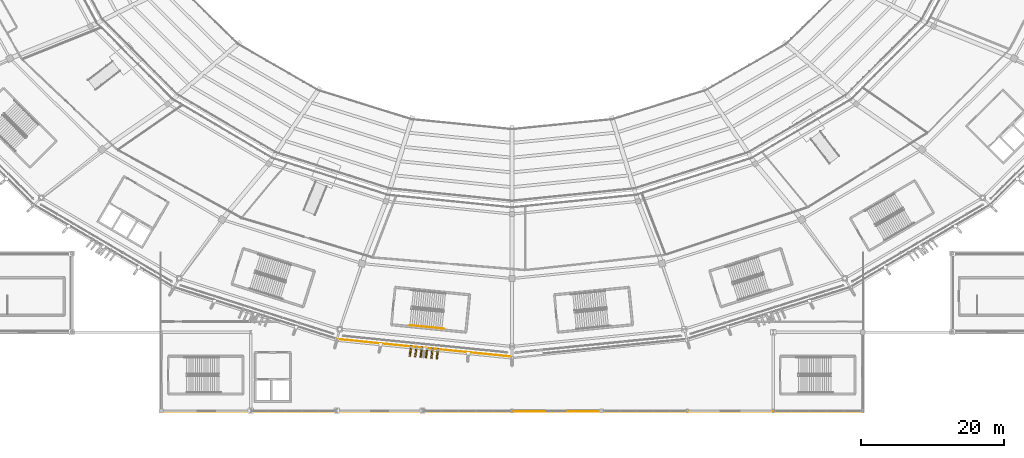
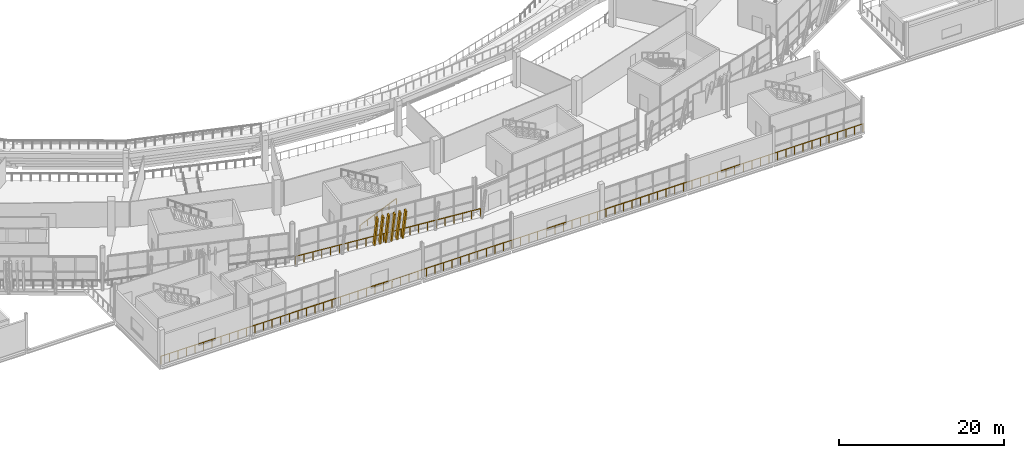
# One storey, part 148 of 178: 6 shading devices, 3 railings.
"""IFC4 building model written with IfcOpenShell, lengths in metres."""

from ifc_helpers import new_model, si_unit, direction, frame, origin, origin_2d, place, context, subcontext, project, spatial, rectangle, extrude, material, material_profile, profile_set, type_object, element, save


model = new_model("IFC4")

# Units and contexts
model_context = context("Model", 3, precision=1e-05, world=origin(), true_north=direction((0.0, 1.0)))
body_context = subcontext(model_context, "Body", "Model", "MODEL_VIEW")
ifc_project = project(units=[si_unit("LENGTHUNIT", "METRE"), si_unit("AREAUNIT", "SQUARE_METRE"), si_unit("VOLUMEUNIT", "CUBIC_METRE"), si_unit("PLANEANGLEUNIT", "RADIAN"), si_unit("MASSUNIT", "GRAM", prefix="KILO")], contexts=[model_context])

# Site, building, storey
site_placement = place(None, origin())
site = spatial("IfcSite", under=ifc_project, at=site_placement, CompositionType="ELEMENT")
building_placement = place(site_placement, origin())
building = spatial("IfcBuilding", under=site, at=building_placement, Name="Zlatoyarsky Gate Stadium", CompositionType="ELEMENT")
storey_placement = place(building_placement, frame((0.0, 0.0, 5.39990234375)))
storey = spatial("IfcBuildingStorey", under=building, at=storey_placement, Name="L01", CompositionType="ELEMENT", Elevation=5.39990234375)

# Railings
ifc_material_1 = material(Name="Powder-coated steel tubular guardrail", Category="steel")
railing_type_1 = type_object("IfcRailingType", Name="CONCOURSE SLAB EDGE GUARDRAIL 1200", PredefinedType="GUARDRAIL", material=ifc_material_1)
railing_1_placement = place(storey_placement, frame((86.56005859375, 10.039306640625, 0.0)))
element("IfcRailing", 1, at=railing_1_placement, inside=storey, type_object=railing_type_1, Name="L01 outer slab edge guardrail 17", PredefinedType="GUARDRAIL", context=body_context, shape_type="SweptSolid", body=[
    extrude(rectangle(XDim=0.048095703125, YDim=0.048095703125, at=origin_2d()), frame((0.0, 0.0, 1.17578125), z_axis=(0.994940882427, -0.100462134533, 0.0), x_axis=(0.100462134533, 0.994940882427, 0.0)), (0.0, 0.0, 1.0), 24.564208984375),
    extrude(rectangle(XDim=0.0419921875, YDim=0.0419921875, at=origin_2d()), origin(), (0.0, 0.0, 1.0), 1.15185546875),
    extrude(rectangle(XDim=0.0419921875, YDim=0.0419921875, at=origin_2d()), frame((1.163818359375, -0.117431640625, 0.0)), (0.0, 0.0, 1.0), 1.15185546875),
    extrude(rectangle(XDim=0.0419921875, YDim=0.0419921875, at=origin_2d()), frame((2.32763671875, -0.235107421875, 0.0)), (0.0, 0.0, 1.0), 1.15185546875),
    extrude(rectangle(XDim=0.0419921875, YDim=0.0419921875, at=origin_2d()), frame((3.491455078125, -0.3525390625, 0.0)), (0.0, 0.0, 1.0), 1.15185546875),
    extrude(rectangle(XDim=0.0419921875, YDim=0.0419921875, at=origin_2d()), frame((4.6552734375, -0.469970703125, 0.0)), (0.0, 0.0, 1.0), 1.15185546875),
    extrude(rectangle(XDim=0.0419921875, YDim=0.0419921875, at=origin_2d()), frame((5.819091796875, -0.587646484375, 0.0)), (0.0, 0.0, 1.0), 1.15185546875),
    extrude(rectangle(XDim=0.0419921875, YDim=0.0419921875, at=origin_2d()), frame((6.98291015625, -0.705078125, 0.0)), (0.0, 0.0, 1.0), 1.15185546875),
    extrude(rectangle(XDim=0.0419921875, YDim=0.0419921875, at=origin_2d()), frame((8.146728515625, -0.822509765625, 0.0)), (0.0, 0.0, 1.0), 1.15185546875),
    extrude(rectangle(XDim=0.0419921875, YDim=0.0419921875, at=origin_2d()), frame((9.310546875, -0.940185546875, 0.0)), (0.0, 0.0, 1.0), 1.15185546875),
    extrude(rectangle(XDim=0.0419921875, YDim=0.0419921875, at=origin_2d()), frame((10.474365234375, -1.0576171875, 0.0)), (0.0, 0.0, 1.0), 1.15185546875),
    extrude(rectangle(XDim=0.0419921875, YDim=0.0419921875, at=origin_2d()), frame((11.63818359375, -1.175048828125, 0.0)), (0.0, 0.0, 1.0), 1.15185546875),
    extrude(rectangle(XDim=0.0419921875, YDim=0.0419921875, at=origin_2d()), frame((12.8017578125, -1.292724609375, 0.0)), (0.0, 0.0, 1.0), 1.15185546875),
    extrude(rectangle(XDim=0.0419921875, YDim=0.0419921875, at=origin_2d()), frame((13.965576171875, -1.41015625, 0.0)), (0.0, 0.0, 1.0), 1.15185546875),
    extrude(rectangle(XDim=0.0419921875, YDim=0.0419921875, at=origin_2d()), frame((15.12939453125, -1.527587890625, 0.0)), (0.0, 0.0, 1.0), 1.15185546875),
    extrude(rectangle(XDim=0.0419921875, YDim=0.0419921875, at=origin_2d()), frame((16.293212890625, -1.645263671875, 0.0)), (0.0, 0.0, 1.0), 1.15185546875),
    extrude(rectangle(XDim=0.0419921875, YDim=0.0419921875, at=origin_2d()), frame((17.45703125, -1.7626953125, 0.0)), (0.0, 0.0, 1.0), 1.15185546875),
    extrude(rectangle(XDim=0.0419921875, YDim=0.0419921875, at=origin_2d()), frame((18.620849609375, -1.880126953125, 0.0)), (0.0, 0.0, 1.0), 1.15185546875),
    extrude(rectangle(XDim=0.0419921875, YDim=0.0419921875, at=origin_2d()), frame((19.78466796875, -1.997802734375, 0.0)), (0.0, 0.0, 1.0), 1.15185546875),
    extrude(rectangle(XDim=0.0419921875, YDim=0.0419921875, at=origin_2d()), frame((20.948486328125, -2.115234375, 0.0)), (0.0, 0.0, 1.0), 1.15185546875),
    extrude(rectangle(XDim=0.0419921875, YDim=0.0419921875, at=origin_2d()), frame((22.1123046875, -2.232666015625, 0.0)), (0.0, 0.0, 1.0), 1.15185546875),
    extrude(rectangle(XDim=0.0419921875, YDim=0.0419921875, at=origin_2d()), frame((23.276123046875, -2.350341796875, 0.0)), (0.0, 0.0, 1.0), 1.15185546875),
    extrude(rectangle(XDim=0.0419921875, YDim=0.0419921875, at=origin_2d()), frame((24.43994140625, -2.4677734375, 0.0)), (0.0, 0.0, 1.0), 1.15185546875),
])
railing_2_placement = place(storey_placement, frame((61.919921875, -0.080078125, 0.0)))
element("IfcRailing", 2, at=railing_2_placement, inside=storey, type_object=railing_type_1, Name="V3_SOUTH L01 S slab edge guardrail", PredefinedType="GUARDRAIL", context=body_context, shape_type="SweptSolid", body=[
    extrude(rectangle(XDim=0.048095703125, YDim=0.048095703125, at=origin_2d()), frame((0.0, 0.0, 1.17578125), z_axis=(1.0, 0.0, 0.0), x_axis=(0.0, 1.0, 0.0)), (0.0, 0.0, 1.0), 98.16015625),
    extrude(rectangle(XDim=0.0419921875, YDim=0.0419921875, at=origin_2d()), origin(), (0.0, 0.0, 1.0), 1.15185546875),
    extrude(rectangle(XDim=0.0419921875, YDim=0.0419921875, at=origin_2d()), frame((1.197021484375, 0.0, 0.0)), (0.0, 0.0, 1.0), 1.15185546875),
    extrude(rectangle(XDim=0.0419921875, YDim=0.0419921875, at=origin_2d()), frame((2.39404296875, 0.0, 0.0)), (0.0, 0.0, 1.0), 1.15185546875),
    extrude(rectangle(XDim=0.0419921875, YDim=0.0419921875, at=origin_2d()), frame((3.59130859375, 0.0, 0.0)), (0.0, 0.0, 1.0), 1.15185546875),
    extrude(rectangle(XDim=0.0419921875, YDim=0.0419921875, at=origin_2d()), frame((4.788330078125, 0.0, 0.0)), (0.0, 0.0, 1.0), 1.15185546875),
    extrude(rectangle(XDim=0.0419921875, YDim=0.0419921875, at=origin_2d()), frame((5.9853515625, 0.0, 0.0)), (0.0, 0.0, 1.0), 1.15185546875),
    extrude(rectangle(XDim=0.0419921875, YDim=0.0419921875, at=origin_2d()), frame((7.182373046875, 0.0, 0.0)), (0.0, 0.0, 1.0), 1.15185546875),
    extrude(rectangle(XDim=0.0419921875, YDim=0.0419921875, at=origin_2d()), frame((8.379638671875, 0.0, 0.0)), (0.0, 0.0, 1.0), 1.15185546875),
    extrude(rectangle(XDim=0.0419921875, YDim=0.0419921875, at=origin_2d()), frame((9.57666015625, 0.0, 0.0)), (0.0, 0.0, 1.0), 1.15185546875),
    extrude(rectangle(XDim=0.0419921875, YDim=0.0419921875, at=origin_2d()), frame((10.773681640625, 0.0, 0.0)), (0.0, 0.0, 1.0), 1.15185546875),
    extrude(rectangle(XDim=0.0419921875, YDim=0.0419921875, at=origin_2d()), frame((11.970703125, 0.0, 0.0)), (0.0, 0.0, 1.0), 1.15185546875),
    extrude(rectangle(XDim=0.0419921875, YDim=0.0419921875, at=origin_2d()), frame((13.167724609375, 0.0, 0.0)), (0.0, 0.0, 1.0), 1.15185546875),
    extrude(rectangle(XDim=0.0419921875, YDim=0.0419921875, at=origin_2d()), frame((14.364990234375, 0.0, 0.0)), (0.0, 0.0, 1.0), 1.15185546875),
    extrude(rectangle(XDim=0.0419921875, YDim=0.0419921875, at=origin_2d()), frame((15.56201171875, 0.0, 0.0)), (0.0, 0.0, 1.0), 1.15185546875),
    extrude(rectangle(XDim=0.0419921875, YDim=0.0419921875, at=origin_2d()), frame((16.759033203125, 0.0, 0.0)), (0.0, 0.0, 1.0), 1.15185546875),
    extrude(rectangle(XDim=0.0419921875, YDim=0.0419921875, at=origin_2d()), frame((17.9560546875, 0.0, 0.0)), (0.0, 0.0, 1.0), 1.15185546875),
    extrude(rectangle(XDim=0.0419921875, YDim=0.0419921875, at=origin_2d()), frame((19.1533203125, 0.0, 0.0)), (0.0, 0.0, 1.0), 1.15185546875),
    extrude(rectangle(XDim=0.0419921875, YDim=0.0419921875, at=origin_2d()), frame((20.350341796875, 0.0, 0.0)), (0.0, 0.0, 1.0), 1.15185546875),
    extrude(rectangle(XDim=0.0419921875, YDim=0.0419921875, at=origin_2d()), frame((21.54736328125, 0.0, 0.0)), (0.0, 0.0, 1.0), 1.15185546875),
    extrude(rectangle(XDim=0.0419921875, YDim=0.0419921875, at=origin_2d()), frame((22.744384765625, 0.0, 0.0)), (0.0, 0.0, 1.0), 1.15185546875),
    extrude(rectangle(XDim=0.0419921875, YDim=0.0419921875, at=origin_2d()), frame((23.94140625, 0.0, 0.0)), (0.0, 0.0, 1.0), 1.15185546875),
    extrude(rectangle(XDim=0.0419921875, YDim=0.0419921875, at=origin_2d()), frame((25.138671875, 0.0, 0.0)), (0.0, 0.0, 1.0), 1.15185546875),
    extrude(rectangle(XDim=0.0419921875, YDim=0.0419921875, at=origin_2d()), frame((26.335693359375, 0.0, 0.0)), (0.0, 0.0, 1.0), 1.15185546875),
    extrude(rectangle(XDim=0.0419921875, YDim=0.0419921875, at=origin_2d()), frame((27.53271484375, 0.0, 0.0)), (0.0, 0.0, 1.0), 1.15185546875),
    extrude(rectangle(XDim=0.0419921875, YDim=0.0419921875, at=origin_2d()), frame((28.729736328125, 0.0, 0.0)), (0.0, 0.0, 1.0), 1.15185546875),
    extrude(rectangle(XDim=0.0419921875, YDim=0.0419921875, at=origin_2d()), frame((29.9267578125, 0.0, 0.0)), (0.0, 0.0, 1.0), 1.15185546875),
    extrude(rectangle(XDim=0.0419921875, YDim=0.0419921875, at=origin_2d()), frame((31.1240234375, 0.0, 0.0)), (0.0, 0.0, 1.0), 1.15185546875),
    extrude(rectangle(XDim=0.0419921875, YDim=0.0419921875, at=origin_2d()), frame((32.321044921875, 0.0, 0.0)), (0.0, 0.0, 1.0), 1.15185546875),
    extrude(rectangle(XDim=0.0419921875, YDim=0.0419921875, at=origin_2d()), frame((33.51806640625, 0.0, 0.0)), (0.0, 0.0, 1.0), 1.15185546875),
    extrude(rectangle(XDim=0.0419921875, YDim=0.0419921875, at=origin_2d()), frame((34.715087890625, 0.0, 0.0)), (0.0, 0.0, 1.0), 1.15185546875),
    extrude(rectangle(XDim=0.0419921875, YDim=0.0419921875, at=origin_2d()), frame((35.912353515625, 0.0, 0.0)), (0.0, 0.0, 1.0), 1.15185546875),
    extrude(rectangle(XDim=0.0419921875, YDim=0.0419921875, at=origin_2d()), frame((37.109375, 0.0, 0.0)), (0.0, 0.0, 1.0), 1.15185546875),
    extrude(rectangle(XDim=0.0419921875, YDim=0.0419921875, at=origin_2d()), frame((38.306396484375, 0.0, 0.0)), (0.0, 0.0, 1.0), 1.15185546875),
    extrude(rectangle(XDim=0.0419921875, YDim=0.0419921875, at=origin_2d()), frame((39.50341796875, 0.0, 0.0)), (0.0, 0.0, 1.0), 1.15185546875),
    extrude(rectangle(XDim=0.0419921875, YDim=0.0419921875, at=origin_2d()), frame((40.700439453125, 0.0, 0.0)), (0.0, 0.0, 1.0), 1.15185546875),
    extrude(rectangle(XDim=0.0419921875, YDim=0.0419921875, at=origin_2d()), frame((41.897705078125, 0.0, 0.0)), (0.0, 0.0, 1.0), 1.15185546875),
    extrude(rectangle(XDim=0.0419921875, YDim=0.0419921875, at=origin_2d()), frame((43.0947265625, 0.0, 0.0)), (0.0, 0.0, 1.0), 1.15185546875),
    extrude(rectangle(XDim=0.0419921875, YDim=0.0419921875, at=origin_2d()), frame((44.291748046875, 0.0, 0.0)), (0.0, 0.0, 1.0), 1.15185546875),
    extrude(rectangle(XDim=0.0419921875, YDim=0.0419921875, at=origin_2d()), frame((45.48876953125, 0.0, 0.0)), (0.0, 0.0, 1.0), 1.15185546875),
    extrude(rectangle(XDim=0.0419921875, YDim=0.0419921875, at=origin_2d()), frame((46.68603515625, 0.0, 0.0)), (0.0, 0.0, 1.0), 1.15185546875),
    extrude(rectangle(XDim=0.0419921875, YDim=0.0419921875, at=origin_2d()), frame((47.883056640625, 0.0, 0.0)), (0.0, 0.0, 1.0), 1.15185546875),
    extrude(rectangle(XDim=0.0419921875, YDim=0.0419921875, at=origin_2d()), frame((49.080078125, 0.0, 0.0)), (0.0, 0.0, 1.0), 1.15185546875),
    extrude(rectangle(XDim=0.0419921875, YDim=0.0419921875, at=origin_2d()), frame((50.277099609375, 0.0, 0.0)), (0.0, 0.0, 1.0), 1.15185546875),
    extrude(rectangle(XDim=0.0419921875, YDim=0.0419921875, at=origin_2d()), frame((51.47412109375, 0.0, 0.0)), (0.0, 0.0, 1.0), 1.15185546875),
    extrude(rectangle(XDim=0.0419921875, YDim=0.0419921875, at=origin_2d()), frame((52.67138671875, 0.0, 0.0)), (0.0, 0.0, 1.0), 1.15185546875),
    extrude(rectangle(XDim=0.0419921875, YDim=0.0419921875, at=origin_2d()), frame((53.868408203125, 0.0, 0.0)), (0.0, 0.0, 1.0), 1.15185546875),
    extrude(rectangle(XDim=0.0419921875, YDim=0.0419921875, at=origin_2d()), frame((55.0654296875, 0.0, 0.0)), (0.0, 0.0, 1.0), 1.15185546875),
    extrude(rectangle(XDim=0.0419921875, YDim=0.0419921875, at=origin_2d()), frame((56.262451171875, 0.0, 0.0)), (0.0, 0.0, 1.0), 1.15185546875),
    extrude(rectangle(XDim=0.0419921875, YDim=0.0419921875, at=origin_2d()), frame((57.459716796875, 0.0, 0.0)), (0.0, 0.0, 1.0), 1.15185546875),
    extrude(rectangle(XDim=0.0419921875, YDim=0.0419921875, at=origin_2d()), frame((58.65673828125, 0.0, 0.0)), (0.0, 0.0, 1.0), 1.15185546875),
    extrude(rectangle(XDim=0.0419921875, YDim=0.0419921875, at=origin_2d()), frame((59.853759765625, 0.0, 0.0)), (0.0, 0.0, 1.0), 1.15185546875),
    extrude(rectangle(XDim=0.0419921875, YDim=0.0419921875, at=origin_2d()), frame((61.05078125, 0.0, 0.0)), (0.0, 0.0, 1.0), 1.15185546875),
    extrude(rectangle(XDim=0.0419921875, YDim=0.0419921875, at=origin_2d()), frame((62.247802734375, 0.0, 0.0)), (0.0, 0.0, 1.0), 1.15185546875),
    extrude(rectangle(XDim=0.0419921875, YDim=0.0419921875, at=origin_2d()), frame((63.445068359375, 0.0, 0.0)), (0.0, 0.0, 1.0), 1.15185546875),
    extrude(rectangle(XDim=0.0419921875, YDim=0.0419921875, at=origin_2d()), frame((64.64208984375, 0.0, 0.0)), (0.0, 0.0, 1.0), 1.15185546875),
    extrude(rectangle(XDim=0.0419921875, YDim=0.0419921875, at=origin_2d()), frame((65.839111328125, 0.0, 0.0)), (0.0, 0.0, 1.0), 1.15185546875),
    extrude(rectangle(XDim=0.0419921875, YDim=0.0419921875, at=origin_2d()), frame((67.0361328125, 0.0, 0.0)), (0.0, 0.0, 1.0), 1.15185546875),
    extrude(rectangle(XDim=0.0419921875, YDim=0.0419921875, at=origin_2d()), frame((68.2333984375, 0.0, 0.0)), (0.0, 0.0, 1.0), 1.15185546875),
    extrude(rectangle(XDim=0.0419921875, YDim=0.0419921875, at=origin_2d()), frame((69.430419921875, 0.0, 0.0)), (0.0, 0.0, 1.0), 1.15185546875),
    extrude(rectangle(XDim=0.0419921875, YDim=0.0419921875, at=origin_2d()), frame((70.62744140625, 0.0, 0.0)), (0.0, 0.0, 1.0), 1.15185546875),
    extrude(rectangle(XDim=0.0419921875, YDim=0.0419921875, at=origin_2d()), frame((71.824462890625, 0.0, 0.0)), (0.0, 0.0, 1.0), 1.15185546875),
    extrude(rectangle(XDim=0.0419921875, YDim=0.0419921875, at=origin_2d()), frame((73.021484375, 0.0, 0.0)), (0.0, 0.0, 1.0), 1.15185546875),
    extrude(rectangle(XDim=0.0419921875, YDim=0.0419921875, at=origin_2d()), frame((74.21875, 0.0, 0.0)), (0.0, 0.0, 1.0), 1.15185546875),
    extrude(rectangle(XDim=0.0419921875, YDim=0.0419921875, at=origin_2d()), frame((75.415771484375, 0.0, 0.0)), (0.0, 0.0, 1.0), 1.15185546875),
    extrude(rectangle(XDim=0.0419921875, YDim=0.0419921875, at=origin_2d()), frame((76.61279296875, 0.0, 0.0)), (0.0, 0.0, 1.0), 1.15185546875),
    extrude(rectangle(XDim=0.0419921875, YDim=0.0419921875, at=origin_2d()), frame((77.809814453125, 0.0, 0.0)), (0.0, 0.0, 1.0), 1.15185546875),
    extrude(rectangle(XDim=0.0419921875, YDim=0.0419921875, at=origin_2d()), frame((79.0068359375, 0.0, 0.0)), (0.0, 0.0, 1.0), 1.15185546875),
    extrude(rectangle(XDim=0.0419921875, YDim=0.0419921875, at=origin_2d()), frame((80.2041015625, 0.0, 0.0)), (0.0, 0.0, 1.0), 1.15185546875),
    extrude(rectangle(XDim=0.0419921875, YDim=0.0419921875, at=origin_2d()), frame((81.401123046875, 0.0, 0.0)), (0.0, 0.0, 1.0), 1.15185546875),
    extrude(rectangle(XDim=0.0419921875, YDim=0.0419921875, at=origin_2d()), frame((82.59814453125, 0.0, 0.0)), (0.0, 0.0, 1.0), 1.15185546875),
    extrude(rectangle(XDim=0.0419921875, YDim=0.0419921875, at=origin_2d()), frame((83.795166015625, 0.0, 0.0)), (0.0, 0.0, 1.0), 1.15185546875),
    extrude(rectangle(XDim=0.0419921875, YDim=0.0419921875, at=origin_2d()), frame((84.992431640625, 0.0, 0.0)), (0.0, 0.0, 1.0), 1.15185546875),
    extrude(rectangle(XDim=0.0419921875, YDim=0.0419921875, at=origin_2d()), frame((86.189453125, 0.0, 0.0)), (0.0, 0.0, 1.0), 1.15185546875),
    extrude(rectangle(XDim=0.0419921875, YDim=0.0419921875, at=origin_2d()), frame((87.386474609375, 0.0, 0.0)), (0.0, 0.0, 1.0), 1.15185546875),
    extrude(rectangle(XDim=0.0419921875, YDim=0.0419921875, at=origin_2d()), frame((88.58349609375, 0.0, 0.0)), (0.0, 0.0, 1.0), 1.15185546875),
    extrude(rectangle(XDim=0.0419921875, YDim=0.0419921875, at=origin_2d()), frame((89.780517578125, 0.0, 0.0)), (0.0, 0.0, 1.0), 1.15185546875),
    extrude(rectangle(XDim=0.0419921875, YDim=0.0419921875, at=origin_2d()), frame((90.977783203125, 0.0, 0.0)), (0.0, 0.0, 1.0), 1.15185546875),
    extrude(rectangle(XDim=0.0419921875, YDim=0.0419921875, at=origin_2d()), frame((92.1748046875, 0.0, 0.0)), (0.0, 0.0, 1.0), 1.15185546875),
    extrude(rectangle(XDim=0.0419921875, YDim=0.0419921875, at=origin_2d()), frame((93.371826171875, 0.0, 0.0)), (0.0, 0.0, 1.0), 1.15185546875),
    extrude(rectangle(XDim=0.0419921875, YDim=0.0419921875, at=origin_2d()), frame((94.56884765625, 0.0, 0.0)), (0.0, 0.0, 1.0), 1.15185546875),
    extrude(rectangle(XDim=0.0419921875, YDim=0.0419921875, at=origin_2d()), frame((95.76611328125, 0.0, 0.0)), (0.0, 0.0, 1.0), 1.15185546875),
    extrude(rectangle(XDim=0.0419921875, YDim=0.0419921875, at=origin_2d()), frame((96.963134765625, 0.0, 0.0)), (0.0, 0.0, 1.0), 1.15185546875),
    extrude(rectangle(XDim=0.0419921875, YDim=0.0419921875, at=origin_2d()), frame((98.16015625, 0.0, 0.0)), (0.0, 0.0, 1.0), 1.15185546875),
])

# Shading devices
ifc_material_2 = material(Name="Precast concrete C40/50 stone-toned architectural rib", Category="masonry")
ifc_material_profile = material_profile(ifc_material_2, rectangle(XDim=0.199951171875, YDim=0.47998046875, at=origin_2d()), Name="RIB 200X480")
ifc_profile_set = profile_set([ifc_material_profile], Name="Precast concrete C40/50 stone-toned architectural rib")
shading_device_type = type_object("IfcShadingDeviceType", Name="PRECAST FLUTED GATE LOUVRE BLADE 200X480", PredefinedType="SHUTTER", material=ifc_profile_set)
for number, where, z_axis, x_axis, name in (
    (3, (96.901611328125, 8.8955078125, -0.010009765625), (-0.033173733252, -0.218071504172, 0.975368813573), (0.988626294086, -0.150392987341, 0.0), "Leaning bowl louvre fin L01-17-1"),
    (4, (97.647705078125, 8.8203125, -0.010009765625), (-0.031392996859, -0.218326336343, 0.975370745208), (0.989819903537, -0.142325537283, 0.0), "Leaning bowl louvre fin L01-17-2"),
    (5, (98.39404296875, 8.744873046875, -0.010009765625), (-0.029663322713, -0.218531682767, 0.975378896077), (0.990912813939, -0.134505744011, 0.0), "Leaning bowl louvre fin L01-17-3"),
    (6, (99.14013671875, 8.66943359375, -0.010009765625), (-0.027882383392, -0.218785125153, 0.975374616088), (0.991976885023, -0.126419379766, 0.0), "Leaning bowl louvre fin L01-17-4"),
    (7, (99.886474609375, 8.593994140625, -0.010009765625), (-0.026152511772, -0.218989125814, 0.975376752288), (0.992944360778, -0.118581180632, 0.0), "Leaning bowl louvre fin L01-17-5"),
    (8, (100.632568359375, 8.518798828125, -0.010009765625), (-0.024371436564, -0.219241169421, 0.975366260802), (0.993878107733, -0.110482156789, 0.0), "Leaning bowl louvre fin L01-17-6"),
):
    element("IfcShadingDevice", number, at=place(storey_placement, frame(where, z_axis=z_axis, x_axis=x_axis)), inside=storey, type_object=shading_device_type, Name=name, PredefinedType="SHUTTER", context=body_context, shape_type="SweptSolid", body=[
        extrude(rectangle(XDim=0.199951171875, YDim=0.47998046875, at=origin_2d()), origin(), (0.0, 0.0, 1.0), 4.79833984375),
    ])

# Railing
ifc_material_3 = material(Name="Brushed stainless steel 316 handrail", Category="steel")
railing_type_2 = type_object("IfcRailingType", Name="STAINLESS STEEL TUBULAR HANDRAIL 900", PredefinedType="HANDRAIL", material=ifc_material_3)
railing_3_placement = place(storey_placement, frame((96.7353515625, 11.958984375, 0.16650390625)))
element("IfcRailing", 9, at=railing_3_placement, inside=storey, type_object=railing_type_2, Name="ST-19 L01 stair handrail 1", PredefinedType="HANDRAIL", context=body_context, shape_type="SweptSolid", body=[
    extrude(rectangle(XDim=0.048095703125, YDim=0.048095703125, at=origin_2d()), frame((0.0, 0.0, 0.8759765625), z_axis=(0.874885159844, -0.087922313769, 0.476283134097), x_axis=(0.099992171352, 0.994988223884, 0.0)), (0.0, 0.0, 1.0), 5.459228515625),
    extrude(rectangle(XDim=0.0419921875, YDim=0.0419921875, at=origin_2d()), origin(), (0.0, 0.0, 1.0), 0.851806640625),
    extrude(rectangle(XDim=0.0419921875, YDim=0.0419921875, at=origin_2d()), frame((0.955322265625, -0.095947265625, 0.52001953125)), (0.0, 0.0, 1.0), 0.851806640625),
    extrude(rectangle(XDim=0.0419921875, YDim=0.0419921875, at=origin_2d()), frame((1.910400390625, -0.19189453125, 1.0400390625)), (0.0, 0.0, 1.0), 0.851806640625),
    extrude(rectangle(XDim=0.0419921875, YDim=0.0419921875, at=origin_2d()), frame((2.86572265625, -0.2880859375, 1.56005859375)), (0.0, 0.0, 1.0), 0.851806640625),
    extrude(rectangle(XDim=0.0419921875, YDim=0.0419921875, at=origin_2d()), frame((3.82080078125, -0.384033203125, 2.080078125)), (0.0, 0.0, 1.0), 0.851806640625),
    extrude(rectangle(XDim=0.0419921875, YDim=0.0419921875, at=origin_2d()), frame((4.776123046875, -0.47998046875, 2.60009765625)), (0.0, 0.0, 1.0), 0.851806640625),
])

save(model, "model.ifc")
